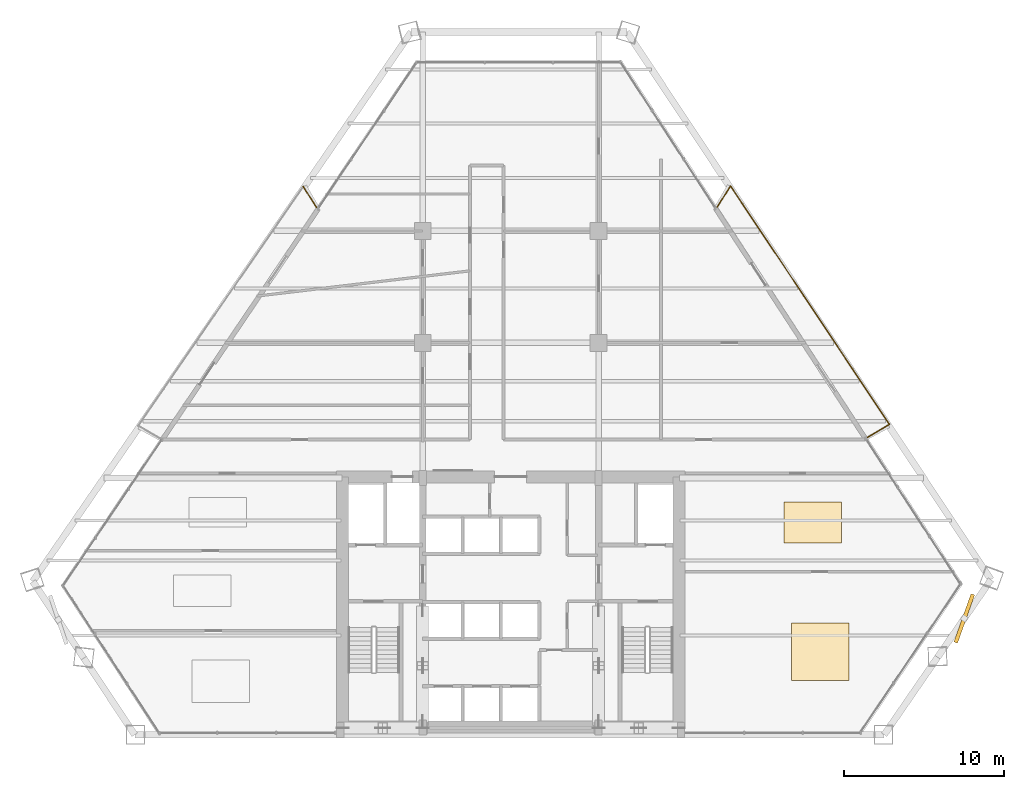
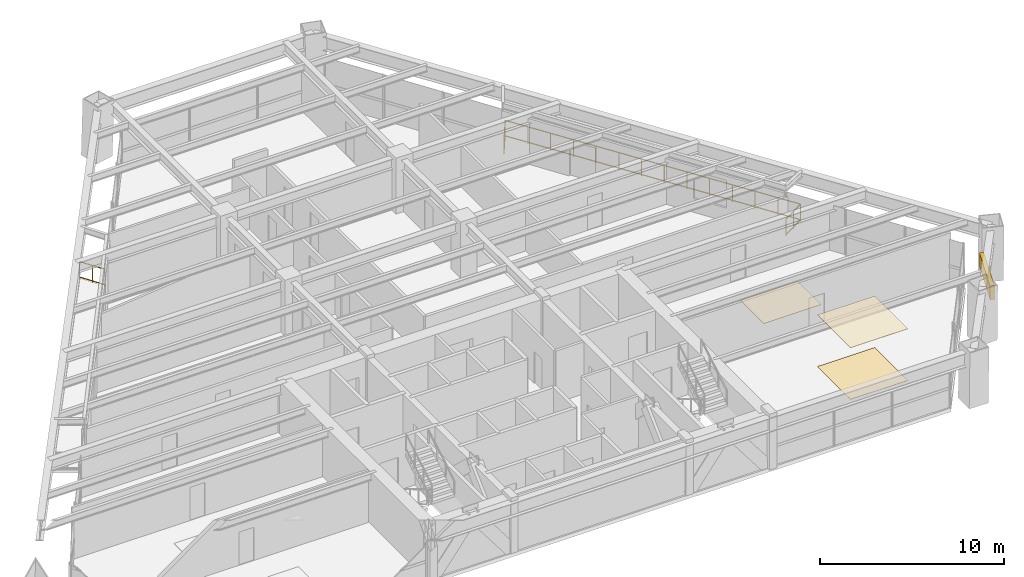
# One storey, part 14 of 14: 4 railings, 3 coverings, 1 shading device.
"""IFC4 building model written with IfcOpenShell, lengths in metres."""

from ifc_helpers import new_model, si_unit, direction, frame, origin, origin_2d, place, context, subcontext, project, spatial, rectangle, extrude, source, transform, mapped, material, layer, layer_set, type_object, type_shapes, element, save


model = new_model("IFC4")

# Units and contexts
model_context = context("Model", 3, precision=1e-05, world=origin(), true_north=direction((0.0, 1.0)))
body_context = subcontext(model_context, "Body", "Model", "MODEL_VIEW")
ifc_project = project(units=[si_unit("LENGTHUNIT", "METRE"), si_unit("AREAUNIT", "SQUARE_METRE"), si_unit("VOLUMEUNIT", "CUBIC_METRE"), si_unit("PLANEANGLEUNIT", "RADIAN"), si_unit("MASSUNIT", "GRAM", prefix="KILO")], contexts=[model_context])

# Site, building, storey
site_placement = place(None, origin())
site = spatial("IfcSite", under=ifc_project, at=site_placement, CompositionType="ELEMENT")
building_placement = place(site_placement, origin())
building = spatial("IfcBuilding", under=site, at=building_placement, Name="Varnakhor Terracotta Tower", CompositionType="ELEMENT")
storey_placement = place(building_placement, frame((0.0, 0.0, 84.0)))
storey = spatial("IfcBuildingStorey", under=building, at=storey_placement, Name="L20", CompositionType="ELEMENT", Elevation=84.0)

# Railings
ifc_material_1 = material(Name="Stainless Steel & Laminated Glass Guardrail", Category="steel")
railing_type = type_object("IfcRailingType", Name="RLG-LOGGIA-GUARD-1150", PredefinedType="GUARDRAIL", material=ifc_material_1)
railing_1_placement = place(storey_placement, frame((12.913818359375, 32.99072265625, 0.0)))
element("IfcRailing", 1, at=railing_1_placement, inside=storey, type_object=railing_type, Name="L20 E Loggia Glass Guard 1", PredefinedType="GUARDRAIL", context=body_context, shape_type="SweptSolid", body=[
    extrude(rectangle(XDim=0.048095703125, YDim=0.048095703125, at=origin_2d()), frame((0.0, 0.0, 1.1259765625), z_axis=(0.533254524589, 0.845954852226, 0.0), x_axis=(-0.845954852226, 0.533254524589, 0.0)), (0.0, 0.0, 1.0), 1.55517578125),
    extrude(rectangle(XDim=0.048095703125, YDim=0.048095703125, at=origin_2d()), frame((0.0, 0.0, 0.10009765625), z_axis=(0.533254524589, 0.845954852226, 0.0), x_axis=(-0.845954852226, 0.533254524589, 0.0)), (0.0, 0.0, 1.0), 1.55517578125),
    extrude(rectangle(XDim=0.0419921875, YDim=0.0419921875, at=origin_2d()), origin(), (0.0, 0.0, 1.0), 1.101806640625),
    extrude(rectangle(XDim=0.0419921875, YDim=0.0419921875, at=origin_2d()), frame((0.41455078125, 0.65771484375, 0.0)), (0.0, 0.0, 1.0), 1.101806640625),
    extrude(rectangle(XDim=0.0419921875, YDim=0.0419921875, at=origin_2d()), frame((0.829345703125, 1.315673828125, 0.0)), (0.0, 0.0, 1.0), 1.101806640625),
])
railing_2_placement = place(storey_placement, frame((13.7431640625, 34.306396484375, 0.0)))
element("IfcRailing", 2, at=railing_2_placement, inside=storey, type_object=railing_type, Name="L20 E Loggia Glass Guard 2", PredefinedType="GUARDRAIL", context=body_context, shape_type="SweptSolid", body=[
    extrude(rectangle(XDim=0.048095703125, YDim=0.048095703125, at=origin_2d()), frame((0.0, 0.0, 1.1259765625), z_axis=(0.554527097423, -0.832165667535, 0.0), x_axis=(0.832165667535, 0.554527097423, 0.0)), (0.0, 0.0, 1.0), 17.902587890625),
    extrude(rectangle(XDim=0.048095703125, YDim=0.048095703125, at=origin_2d()), frame((0.0, 0.0, 0.10009765625), z_axis=(0.554527097423, -0.832165667535, 0.0), x_axis=(0.832165667535, 0.554527097423, 0.0)), (0.0, 0.0, 1.0), 17.902587890625),
    extrude(rectangle(XDim=0.0419921875, YDim=0.0419921875, at=origin_2d()), origin(), (0.0, 0.0, 1.0), 1.101806640625),
    extrude(rectangle(XDim=0.0419921875, YDim=0.0419921875, at=origin_2d()), frame((0.763671875, -1.14599609375, 0.0)), (0.0, 0.0, 1.0), 1.101806640625),
    extrude(rectangle(XDim=0.0419921875, YDim=0.0419921875, at=origin_2d()), frame((1.52734375, -2.2919921875, 0.0)), (0.0, 0.0, 1.0), 1.101806640625),
    extrude(rectangle(XDim=0.0419921875, YDim=0.0419921875, at=origin_2d()), frame((2.291015625, -3.43798828125, 0.0)), (0.0, 0.0, 1.0), 1.101806640625),
    extrude(rectangle(XDim=0.0419921875, YDim=0.0419921875, at=origin_2d()), frame((3.0546875, -4.583984375, 0.0)), (0.0, 0.0, 1.0), 1.101806640625),
    extrude(rectangle(XDim=0.0419921875, YDim=0.0419921875, at=origin_2d()), frame((3.818359375, -5.72998046875, 0.0)), (0.0, 0.0, 1.0), 1.101806640625),
    extrude(rectangle(XDim=0.0419921875, YDim=0.0419921875, at=origin_2d()), frame((4.58203125, -6.8759765625, 0.0)), (0.0, 0.0, 1.0), 1.101806640625),
    extrude(rectangle(XDim=0.0419921875, YDim=0.0419921875, at=origin_2d()), frame((5.345458984375, -8.02197265625, 0.0)), (0.0, 0.0, 1.0), 1.101806640625),
    extrude(rectangle(XDim=0.0419921875, YDim=0.0419921875, at=origin_2d()), frame((6.109130859375, -9.16796875, 0.0)), (0.0, 0.0, 1.0), 1.101806640625),
    extrude(rectangle(XDim=0.0419921875, YDim=0.0419921875, at=origin_2d()), frame((6.872802734375, -10.31396484375, 0.0)), (0.0, 0.0, 1.0), 1.101806640625),
    extrude(rectangle(XDim=0.0419921875, YDim=0.0419921875, at=origin_2d()), frame((7.636474609375, -11.4599609375, 0.0)), (0.0, 0.0, 1.0), 1.101806640625),
    extrude(rectangle(XDim=0.0419921875, YDim=0.0419921875, at=origin_2d()), frame((8.400146484375, -12.60595703125, 0.0)), (0.0, 0.0, 1.0), 1.101806640625),
    extrude(rectangle(XDim=0.0419921875, YDim=0.0419921875, at=origin_2d()), frame((9.163818359375, -13.751953125, 0.0)), (0.0, 0.0, 1.0), 1.101806640625),
    extrude(rectangle(XDim=0.0419921875, YDim=0.0419921875, at=origin_2d()), frame((9.927490234375, -14.89794921875, 0.0)), (0.0, 0.0, 1.0), 1.101806640625),
])
railing_3_placement = place(storey_placement, frame((23.670654296875, 19.408447265625, 0.0)))
element("IfcRailing", 3, at=railing_3_placement, inside=storey, type_object=railing_type, Name="L20 E Loggia Glass Guard 3", PredefinedType="GUARDRAIL", context=body_context, shape_type="SweptSolid", body=[
    extrude(rectangle(XDim=0.048095703125, YDim=0.048095703125, at=origin_2d()), frame((0.0, 0.0, 1.1259765625), z_axis=(-0.859280097724, -0.511505340789, 0.0), x_axis=(0.511505340789, -0.859280097724, 0.0)), (0.0, 0.0, 1.0), 1.598388671875),
    extrude(rectangle(XDim=0.048095703125, YDim=0.048095703125, at=origin_2d()), frame((0.0, 0.0, 0.10009765625), z_axis=(-0.859280097724, -0.511505340789, 0.0), x_axis=(0.511505340789, -0.859280097724, 0.0)), (0.0, 0.0, 1.0), 1.598388671875),
    extrude(rectangle(XDim=0.0419921875, YDim=0.0419921875, at=origin_2d()), origin(), (0.0, 0.0, 1.0), 1.101806640625),
    extrude(rectangle(XDim=0.0419921875, YDim=0.0419921875, at=origin_2d()), frame((-0.686767578125, -0.40869140625, 0.0)), (0.0, 0.0, 1.0), 1.101806640625),
    extrude(rectangle(XDim=0.0419921875, YDim=0.0419921875, at=origin_2d()), frame((-1.37353515625, -0.817626953125, 0.0)), (0.0, 0.0, 1.0), 1.101806640625),
])
railing_4_placement = place(storey_placement, frame((-12.96728515625, 34.277587890625, 0.0)))
element("IfcRailing", 4, at=railing_4_placement, inside=storey, type_object=railing_type, Name="L20 W Loggia Glass Guard 3", PredefinedType="GUARDRAIL", context=body_context, shape_type="SweptSolid", body=[
    extrude(rectangle(XDim=0.048095703125, YDim=0.048095703125, at=origin_2d()), frame((0.0, 0.0, 1.1259765625), z_axis=(0.534477032157, -0.845182999177, 0.0), x_axis=(0.845182999177, 0.534477032157, 0.0)), (0.0, 0.0, 1.0), 1.555908203125),
    extrude(rectangle(XDim=0.048095703125, YDim=0.048095703125, at=origin_2d()), frame((0.0, 0.0, 0.10009765625), z_axis=(0.534477032157, -0.845182999177, 0.0), x_axis=(0.845182999177, 0.534477032157, 0.0)), (0.0, 0.0, 1.0), 1.555908203125),
    extrude(rectangle(XDim=0.0419921875, YDim=0.0419921875, at=origin_2d()), origin(), (0.0, 0.0, 1.0), 1.101806640625),
    extrude(rectangle(XDim=0.0419921875, YDim=0.0419921875, at=origin_2d()), frame((0.415771484375, -0.657470703125, 0.0)), (0.0, 0.0, 1.0), 1.101806640625),
    extrude(rectangle(XDim=0.0419921875, YDim=0.0419921875, at=origin_2d()), frame((0.83154296875, -1.31494140625, 0.0)), (0.0, 0.0, 1.0), 1.101806640625),
])

# Shading device
ifc_material_2 = material(Name="Extruded Architectural Terracotta Screen", Category="masonry")
shading_device_type = type_object("IfcShadingDeviceType", Name="TERRACOTTA SOLAR SCREEN E", PredefinedType="USERDEFINED", material=ifc_material_2)
shared_shape_1 = source(origin(), body_context, "Body", "SweptSolid", [
    extrude(rectangle(XDim=3.199951171875, YDim=0.239990234375, at=origin_2d()), origin(), (0.0, 0.0, 1.0), 0.919921875),
])
type_shapes(shading_device_type, [shared_shape_1])
shading_device_placement = place(storey_placement, frame((28.354736328125, 7.274169921875, 1.617919921875), z_axis=(0.0, 0.0, 1.0), x_axis=(0.334711576171, 0.942320625253, 0.0)))
element("IfcShadingDevice", 5, at=shading_device_placement, inside=storey, type_object=shading_device_type, Name="L20 E Terracotta Solar Screen", ObjectType="SCREEN", PredefinedType="USERDEFINED", context=body_context, shape_type="MappedRepresentation", body=[
    mapped(shared_shape_1, transform((0.0, 0.0, 0.0), scale=1.0)),
])

# Coverings
ifc_material_3 = material(Name="Honed Riyadh Limestone Flooring", Category="masonry")
ifc_layer_1 = layer(ifc_material_3, 0.030029296875, Name="Honed Riyadh Limestone Flooring")
ifc_layer_set_1 = layer_set([ifc_layer_1], Name="Honed Riyadh Limestone Flooring")
covering_type_1 = type_object("IfcCoveringType", Name="COV-FLOOR-LIMESTONE", PredefinedType="FLOORING", material=ifc_layer_set_1)
shared_shape_2 = source(origin(), body_context, "Body", "SweptSolid", [
    extrude(rectangle(XDim=3.60009765625, YDim=3.60009765625, at=origin_2d()), origin(), (0.0, 0.0, 1.0), 0.02001953125),
])
covering_1_placement = place(storey_placement, frame((19.361083984375, 5.201904296875, 0.0), z_axis=(0.0, 0.0, 1.0), x_axis=(1.0, 0.0, 0.0)))
element("IfcCovering", 6, at=covering_1_placement, inside=storey, type_object=covering_type_1, Name="L20 Honed Stone Flooring 2", PredefinedType="FLOORING", context=body_context, shape_type="MappedRepresentation", body=[
    mapped(shared_shape_2, transform((0.0, 0.0, 0.0), scale=1.0)),
])
ifc_material_4 = material(Name="Perforated Acoustic Mineral-Fibre Ceiling", Category="gypsum")
ifc_layer_2 = layer(ifc_material_4, 0.02490234375, Name="Perforated Acoustic Mineral-Fibre Ceiling")
ifc_layer_set_2 = layer_set([ifc_layer_2], Name="Perforated Acoustic Mineral-Fibre Ceiling")
covering_type_2 = type_object("IfcCoveringType", Name="COV-CEILING-ACOUSTIC", PredefinedType="CEILING", material=ifc_layer_set_2)
shared_shape_3 = source(origin(), body_context, "Body", "SweptSolid", [
    extrude(rectangle(XDim=3.60009765625, YDim=3.60009765625, at=origin_2d()), origin(), (0.0, 0.0, 1.0), 0.02392578125),
])
covering_2_placement = place(storey_placement, frame((19.361083984375, 5.201904296875, 3.426025390625), z_axis=(0.0, 0.0, 1.0), x_axis=(1.0, 0.0, 0.0)))
element("IfcCovering", 7, at=covering_2_placement, inside=storey, type_object=covering_type_2, Name="L20 Acoustic Ceiling Panel 2", PredefinedType="CEILING", context=body_context, shape_type="MappedRepresentation", body=[
    mapped(shared_shape_3, transform((0.0, 0.0, 0.0), scale=1.0)),
])
shared_shape_4 = source(origin(), body_context, "Body", "SweptSolid", [
    extrude(rectangle(XDim=3.60009765625, YDim=2.572021484375, at=origin_2d()), origin(), (0.0, 0.0, 1.0), 0.02001953125),
])
covering_3_placement = place(storey_placement, frame((18.8759765625, 13.263916015625, 0.0), z_axis=(0.0, 0.0, 1.0), x_axis=(1.0, 0.0, 0.0)))
element("IfcCovering", 8, at=covering_3_placement, inside=storey, type_object=covering_type_1, Name="L20 Honed Stone Flooring 4", PredefinedType="FLOORING", context=body_context, shape_type="MappedRepresentation", body=[
    mapped(shared_shape_4, transform((0.0, 0.0, 0.0), scale=1.0)),
])

save(model, "model.ifc")
